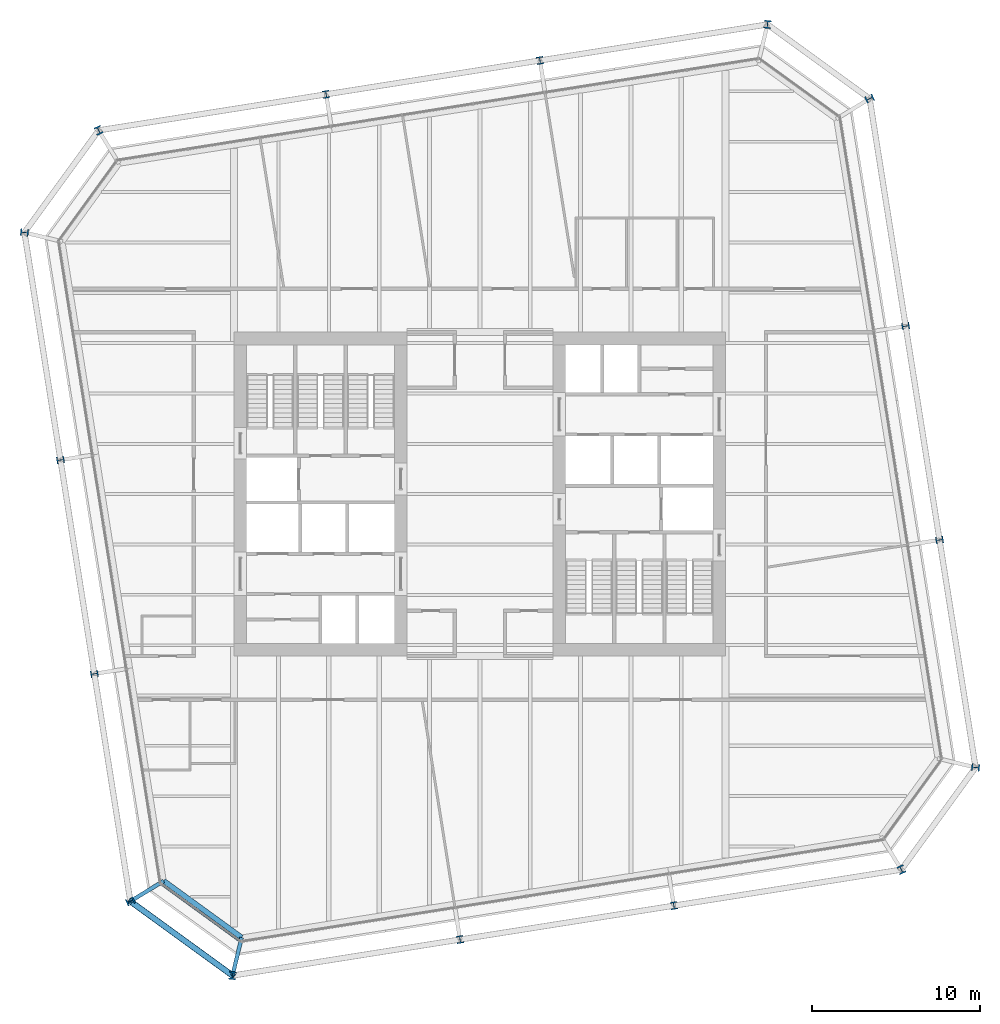
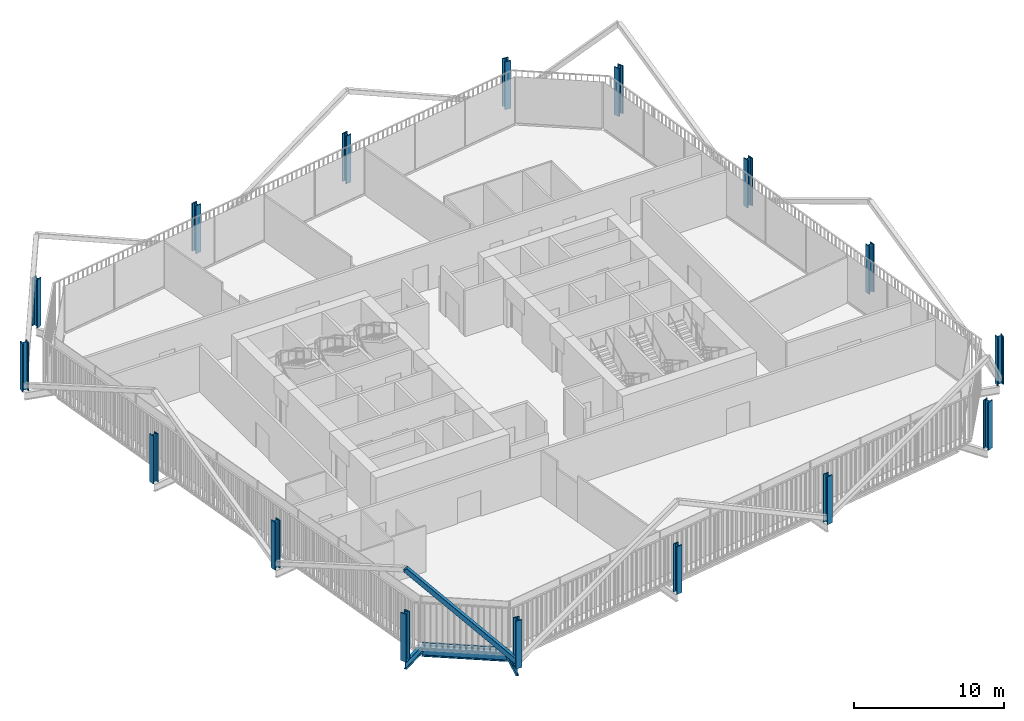
# One storey, part 1 of 22: 16 columns, 3 beams, 2 members, 1 element without a shape of its own.
"""IFC4 building model written with IfcOpenShell, lengths in metres."""

from ifc_helpers import new_model, si_unit, direction, frame, origin, origin_2d, place, context, subcontext, project, spatial, rectangle, hollow_rectangle, i_section, extrude, material, layer, layer_set, material_profile, profile_set, type_object, element, aggregate, save


model = new_model("IFC4")

# Units and contexts
model_context = context("Model", 3, precision=1e-05, world=origin(), true_north=direction((0.0, 1.0)))
body_context = subcontext(model_context, "Body", "Model", "MODEL_VIEW")
ifc_project = project(units=[si_unit("LENGTHUNIT", "METRE"), si_unit("AREAUNIT", "SQUARE_METRE"), si_unit("VOLUMEUNIT", "CUBIC_METRE"), si_unit("PLANEANGLEUNIT", "RADIAN"), si_unit("MASSUNIT", "GRAM", prefix="KILO")], contexts=[model_context])

# Site, building, storey
site_placement = place(None, origin())
site = spatial("IfcSite", under=ifc_project, at=site_placement, CompositionType="ELEMENT")
building_placement = place(site_placement, origin())
building = spatial("IfcBuilding", under=site, at=building_placement, Name="Millrace Tower", CompositionType="ELEMENT")
storey_placement = place(building_placement, frame((0.0, 0.0, 152.89990234375)))
storey = spatial("IfcBuildingStorey", under=building, at=storey_placement, Name="L34", CompositionType="ELEMENT", Elevation=152.89990234375)

# Columns
ifc_material_1 = material(Name="Steel ASTM A913 Grade 65", Category="steel")
ifc_material_profile_1 = material_profile(ifc_material_1, i_section(OverallWidth=0.419189453125, OverallDepth=0.45458984375, WebThickness=0.042236328125, FlangeThickness=0.067626953125, FilletRadius=0.01513671875, at=origin_2d()))
ifc_profile_set_1 = profile_set([ifc_material_profile_1], Name="Steel ASTM A913 Grade 65")
column_type_1 = type_object("IfcColumnType", Name="Exoskeleton column W14x370", PredefinedType="COLUMN", material=ifc_profile_set_1)
for number, where, z_axis, x_axis, name in (
    (1, (-1.181396484375, -26.545166015625, 0.0), (0.0, 0.0, 1.0), (0.987688339156, 0.156434474125, 0.0), "COL-C-L34-X03"),
    (2, (11.5595703125, -24.527099609375, 0.0), (0.0, 0.0, 1.0), (0.987688338239, 0.156434479917, 0.0), "COL-C-L34-X04"),
    (3, (27.39501953125, -2.7314453125, 0.0), (0.0, 0.0, 1.0), (-0.156434474125, 0.987688339156, 0.0), "COL-C-L34-X07"),
    (4, (25.376953125, 10.009765625, 0.0), (0.0, 0.0, 1.0), (-0.156434479917, 0.987688338239, 0.0), "COL-C-L34-X08"),
    (5, (3.58154296875, 25.844970703125, 0.0), (0.0, 0.0, 1.0), (-0.987688339156, -0.156434474125, 0.0), "COL-C-L34-X11"),
    (6, (-9.15966796875, 23.8271484375, 0.0), (0.0, 0.0, 1.0), (-0.987688338239, -0.156434479917, 0.0), "COL-C-L34-X12"),
    (7, (-24.9951171875, 2.031494140625, 0.0), (0.0, 0.0, 1.0), (0.156434474125, -0.987688339156, 0.0), "COL-C-L34-X15"),
    (8, (-22.97705078125, -10.709716796875, 0.0), (0.0, 0.0, 1.0), (0.156434479917, -0.987688338239, 0.0), "COL-C-L34-X16"),
):
    element("IfcColumn", number, at=place(storey_placement, frame(where, z_axis=z_axis, x_axis=x_axis)), inside=storey, type_object=column_type_1, Name=name, PredefinedType="COLUMN", context=body_context, shape_type="SweptSolid", body=[
        extrude(i_section(OverallWidth=0.419189453125, OverallDepth=0.45458984375, WebThickness=0.042236328125, FlangeThickness=0.067626953125, FilletRadius=0.01513671875, at=origin_2d()), origin(), (0.0, 0.0, 1.0), 3.900146484375),
    ])
ifc_material_2 = material(Name="Steel ASTM A913 Grade 65", Category="steel")
ifc_material_profile_2 = material_profile(ifc_material_2, i_section(OverallWidth=0.4267578125, OverallDepth=0.482666015625, WebThickness=0.05126953125, FlangeThickness=0.08154296875, FilletRadius=0.01513671875, at=origin_2d()))
ifc_profile_set_2 = profile_set([ifc_material_profile_2], Name="Steel ASTM A913 Grade 65")
column_type_2 = type_object("IfcColumnType", Name="Exoskeleton column W14x455", PredefinedType="COLUMN", material=ifc_profile_set_2)
for number, where, z_axis, x_axis, name in (
    (9, (-20.829345703125, -24.26904296875, 0.0), (0.0, 0.0, 1.0), (0.416401106568, -0.909181015227, 0.0), "COL-C-L34-X01"),
    (10, (-14.740966796875, -28.692626953125, 0.0), (0.0, 0.0, 1.0), (0.993357548409, -0.115068592665, 0.0), "COL-C-L34-X02"),
    (11, (25.119140625, -22.37939453125, 0.0), (0.0, 0.0, 1.0), (0.909181015227, 0.416401106568, 0.0), "COL-C-L34-X05"),
    (12, (29.542724609375, -16.291015625, 0.0), (0.0, 0.0, 1.0), (0.115068592665, 0.993357548409, 0.0), "COL-C-L34-X06"),
    (13, (23.2294921875, 23.569091796875, 0.0), (0.0, 0.0, 1.0), (-0.416401106568, 0.909181015227, 0.0), "COL-C-L34-X09"),
    (14, (17.140869140625, 27.99267578125, 0.0), (0.0, 0.0, 1.0), (-0.993357548409, 0.115068592665, 0.0), "COL-C-L34-X10"),
    (15, (-22.718994140625, 21.679443359375, 0.0), (0.0, 0.0, 1.0), (-0.909181015227, -0.416401106568, 0.0), "COL-C-L34-X13"),
    (16, (-27.142578125, 15.5908203125, 0.0), (0.0, 0.0, 1.0), (-0.115068592665, -0.993357548409, 0.0), "COL-C-L34-X14"),
):
    element("IfcColumn", number, at=place(storey_placement, frame(where, z_axis=z_axis, x_axis=x_axis)), inside=storey, type_object=column_type_2, Name=name, PredefinedType="COLUMN", context=body_context, shape_type="SweptSolid", body=[
        extrude(i_section(OverallWidth=0.4267578125, OverallDepth=0.482666015625, WebThickness=0.05126953125, FlangeThickness=0.08154296875, FilletRadius=0.01513671875, at=origin_2d()), origin(), (0.0, 0.0, 1.0), 3.900146484375),
    ])

# Curtain wall, member
ifc_material_3 = material(Name="Aluminium and glass", Category="aluminium")
ifc_layer = layer(ifc_material_3, 0.14990234375)
ifc_layer_set = layer_set([ifc_layer], Name="Aluminium and glass")
curtain_wall_type = type_object("IfcCurtainWallType", Name="CW-1 office vision curtain wall", PredefinedType="NOTDEFINED", material=ifc_layer_set)
curtain_wall_placement = place(storey_placement, origin())
curtain_wall = element("IfcCurtainWall", 17, at=curtain_wall_placement, inside=storey, type_object=curtain_wall_type, Name="Curtain wall C-F01 L34", PredefinedType="NOTDEFINED")
ifc_material_4 = material(Name="Aluminium", Category="aluminium")
ifc_material_profile_3 = material_profile(ifc_material_4, rectangle(XDim=0.14990234375, YDim=0.139892578125, at=origin_2d()))
ifc_profile_set_3 = profile_set([ifc_material_profile_3], Name="Aluminium")
member_type_1 = type_object("IfcMemberType", Name="CW-1 office vision curtain wall transom", PredefinedType="USERDEFINED", material=ifc_profile_set_3)
member_1_placement = place(storey_placement, frame((-18.94677734375, -23.25732421875, 0.070068359375), z_axis=(0.808998591139, -0.587810581339, 0.0), x_axis=(0.587810581339, 0.808998591139, 0.0)))
member_1 = element("IfcMember", 18, at=member_1_placement, type_object=member_type_1, Name="CW1 transom C-F01.1", ObjectType="TRANSOM", PredefinedType="USERDEFINED", context=body_context, shape_type="SweptSolid", body=[
    extrude(rectangle(XDim=0.14990234375, YDim=0.139892578125, at=origin_2d()), origin(), (0.0, 0.0, 1.0), 5.6689453125),
])
aggregate(curtain_wall, [member_1])

# Member
ifc_material_5 = material(Name="Steel ASTM A500 Grade C", Category="steel")
ifc_material_profile_4 = material_profile(ifc_material_5, hollow_rectangle(XDim=0.355712890625, YDim=0.355712890625, WallThickness=0.015869140625, InnerFilletRadius=0.008056640625, OuterFilletRadius=0.02392578125, at=origin_2d()))
ifc_profile_set_4 = profile_set([ifc_material_profile_4], Name="Steel ASTM A500 Grade C")
member_type_2 = type_object("IfcMemberType", Name="Exoskeleton brace HSS14x14x5/8", PredefinedType="BRACE", material=ifc_profile_set_4)
member_2_placement = place(storey_placement, frame((-14.740966796875, -28.692626953125, 0.400146484375), z_axis=(-0.592372334541, 0.430395153162, 0.681069034243), x_axis=(-0.587795495726, -0.809009551985, 0.0)))
element("IfcMember", 19, at=member_2_placement, inside=storey, type_object=member_type_2, Name="BRC-C-L34-01", PredefinedType="BRACE", context=body_context, shape_type="SweptSolid", body=[
    extrude(hollow_rectangle(XDim=0.355712890625, YDim=0.355712890625, WallThickness=0.015869140625, InnerFilletRadius=0.008056640625, OuterFilletRadius=0.02392578125, at=origin_2d()), origin(), (0.0, 0.0, 1.0), 10.278076171875),
])

# Beams
ifc_material_6 = material(Name="Steel ASTM A992 Grade 50", Category="steel")
ifc_material_profile_5 = material_profile(ifc_material_6, i_section(OverallWidth=0.23046875, OverallDepth=0.6171875, WebThickness=0.01318359375, FlangeThickness=0.022216796875, FilletRadius=0.012939453125, at=origin_2d()))
ifc_profile_set_5 = profile_set([ifc_material_profile_5], Name="Steel ASTM A992 Grade 50")
beam_type_1 = type_object("IfcBeamType", Name="Link beam W24x94", PredefinedType="BEAM", material=ifc_profile_set_5)
for number, where, z_axis, x_axis, name in (
    (20, (-18.841796875, -23.051025390625, -0.468505859375), (-0.852631355792, -0.522512938711, 0.0), (0.522512938711, -0.852631355792, 0.0), "LNK-C-L34-S1-01"),
    (21, (-14.19677734375, -26.426025390625, -0.468505859375), (-0.233456138164, -0.972367333652, 0.0), (0.972367333652, -0.233456138164, 0.0), "LNK-C-L34-S1-16"),
):
    element("IfcBeam", number, at=place(storey_placement, frame(where, z_axis=z_axis, x_axis=x_axis)), inside=storey, type_object=beam_type_1, Name=name, PredefinedType="BEAM", context=body_context, shape_type="SweptSolid", body=[
        extrude(i_section(OverallWidth=0.23046875, OverallDepth=0.6171875, WebThickness=0.01318359375, FlangeThickness=0.022216796875, FilletRadius=0.012939453125, at=origin_2d()), origin(), (0.0, 0.0, 1.0), 2.3310546875),
    ])
ifc_material_7 = material(Name="Steel ASTM A992 Grade 50", Category="steel")
ifc_material_profile_6 = material_profile(ifc_material_7, i_section(OverallWidth=0.307373046875, OverallDepth=0.927001953125, WebThickness=0.01953125, FlangeThickness=0.031982421875, FilletRadius=0.01904296875, at=origin_2d()))
ifc_profile_set_6 = profile_set([ifc_material_profile_6], Name="Steel ASTM A992 Grade 50")
beam_type_2 = type_object("IfcBeamType", Name="Ring beam short span W36x194", PredefinedType="SPANDREL", material=ifc_profile_set_6)
beam_placement = place(storey_placement, frame((-14.19677734375, -26.426025390625, -0.62353515625), z_axis=(-0.80900078054, 0.587807568074, 0.0), x_axis=(-0.587807568074, -0.80900078054, 0.0)))
element("IfcBeam", 22, at=beam_placement, inside=storey, type_object=beam_type_2, Name="RNG-C-L34-S1-16", PredefinedType="SPANDREL", context=body_context, shape_type="SweptSolid", body=[
    extrude(i_section(OverallWidth=0.307373046875, OverallDepth=0.927001953125, WebThickness=0.01953125, FlangeThickness=0.031982421875, FilletRadius=0.01904296875, at=origin_2d()), origin(), (0.0, 0.0, 1.0), 5.74169921875),
])

save(model, "model.ifc")
